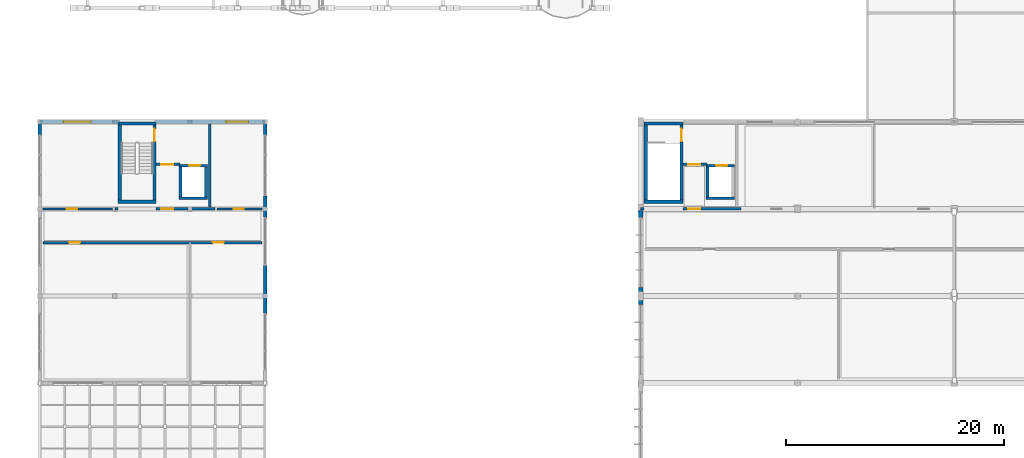
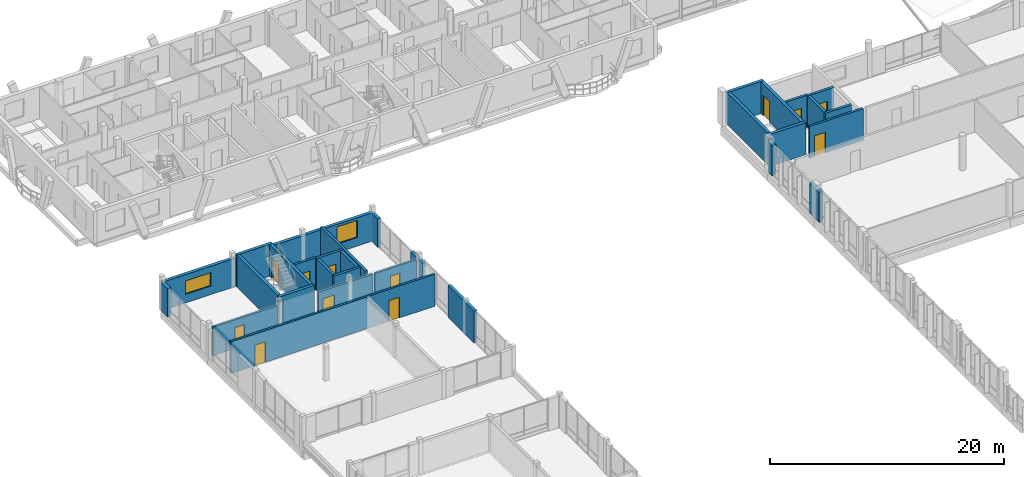
# One storey, part 150 of 189: 33 walls, 12 doors, 2 windows, 14 openings.
"""IFC4 building model written with IfcOpenShell, lengths in metres."""

import ifcopenshell
import ifcopenshell.guid

model = None  # the IFC model being written
_history = None  # IfcOwnerHistory: only IFC2X3 demands one
_inside = {}  # id of a spatial element -> (the spatial element, [elements in it])
_under = {}  # id of a project, library or spatial element -> (it, [spatial elements below it])
_declared = {}  # id of a project -> (the project, [libraries it declares])
_typed = {}  # id of a type object -> (the type object, [elements of that type])
_made_of = {}  # id of a material, layer set ... -> (it, [elements and type objects made of it])


def new_model(schema):
    """Start an empty IFC model of exactly this schema.

    Asked for "IFC4X3", IfcOpenShell would pick the latest addendum, in which some entities
    have other attributes; the version numbers below select the first issue.
    IFC2X3 requires an IfcOwnerHistory on every rooted entity: one is made here for all.
    """
    global model, _history
    if schema == "IFC4X3":
        model = ifcopenshell.file(schema_version=(4, 3, 0, 0))
    else:
        model = ifcopenshell.file(schema=schema)
    _inside.clear()
    _under.clear()
    _declared.clear()
    _typed.clear()
    _made_of.clear()
    _history = None
    if model.schema == "IFC2X3":
        org = make("IfcOrganization", Name="unknown")
        user = make(
            "IfcPersonAndOrganization",
            ThePerson=make("IfcPerson", FamilyName="unknown"),
            TheOrganization=org,
        )
        app = make(
            "IfcApplication",
            ApplicationDeveloper=org,
            Version="unknown",
            ApplicationFullName="unknown",
            ApplicationIdentifier="unknown",
        )
        _history = make(
            "IfcOwnerHistory",
            OwningUser=user,
            OwningApplication=app,
            ChangeAction="ADDED",
            CreationDate=0,
        )
    return model


def make(cls, **values):
    """One entity of the class cls with the attributes given. An attribute that is None is left unset."""
    return model.create_entity(
        cls, **{name: value for name, value in values.items() if value is not None}
    )


def rooted(cls, **values):
    """An entity with a GlobalId (a new one), such as an element, a storey or a relation."""
    return make(cls, GlobalId=ifcopenshell.guid.new(), OwnerHistory=_history, **values)


def si_unit(unit_type, name, prefix=None):
    """IfcSIUnit, for example si_unit("LENGTHUNIT", "METRE", prefix="MILLI")."""
    return make("IfcSIUnit", UnitType=unit_type, Prefix=prefix, Name=name)


def assignment(units):
    """IfcUnitAssignment: the units of a project."""
    return None if units is None else make("IfcUnitAssignment", Units=units)


def point(xyz):
    """IfcCartesianPoint."""
    return None if xyz is None else make("IfcCartesianPoint", Coordinates=xyz)


def direction(xyz):
    """IfcDirection."""
    return None if xyz is None else make("IfcDirection", DirectionRatios=xyz)


def frame(location, z_axis=None, x_axis=None):
    """IfcAxis2Placement3D, a coordinate frame: its origin and axes. An axis left out is left unset."""
    return make(
        "IfcAxis2Placement3D",
        Location=point(location),
        Axis=direction(z_axis),
        RefDirection=direction(x_axis),
    )


def frame_2d(location, x_axis=None):
    """IfcAxis2Placement2D, a coordinate frame in the plane: its origin and x axis."""
    return make(
        "IfcAxis2Placement2D", Location=point(location), RefDirection=direction(x_axis)
    )


def origin():
    """The frame at (0, 0, 0) with its axes left unset."""
    return frame((0.0, 0.0, 0.0))


def origin_with_axes():
    """The frame at (0, 0, 0) with the z axis (0, 0, 1) and the x axis (1, 0, 0) written out."""
    return frame((0.0, 0.0, 0.0), z_axis=(0.0, 0.0, 1.0), x_axis=(1.0, 0.0, 0.0))


def place(relative_to, where):
    """IfcLocalPlacement: puts the frame where relative to a parent placement (None: the world)."""
    return make(
        "IfcLocalPlacement", PlacementRelTo=relative_to, RelativePlacement=where
    )


def context(
    kind, dimensions, precision=None, world=None, true_north=None, identifier=None
):
    """IfcGeometricRepresentationContext, for example the 3D "Model" context."""
    return make(
        "IfcGeometricRepresentationContext",
        ContextIdentifier=identifier,
        ContextType=kind,
        CoordinateSpaceDimension=dimensions,
        Precision=precision,
        WorldCoordinateSystem=world,
        TrueNorth=true_north,
    )


def subcontext(parent, identifier, kind, view, scale=None):
    """IfcGeometricRepresentationSubContext, for example "Body" below "Model"."""
    return make(
        "IfcGeometricRepresentationSubContext",
        ContextIdentifier=identifier,
        ContextType=kind,
        ParentContext=parent,
        TargetScale=scale,
        TargetView=view,
    )


def project(units=None, contexts=None):
    """IfcProject with its units and contexts."""
    return rooted(
        "IfcProject",
        Name="project",
        RepresentationContexts=contexts,
        UnitsInContext=assignment(units),
    )


def spatial(cls, under=None, at=None, **own):
    """A site, building, storey or space (cls), placed at a placement, below another one or the project."""
    s = rooted(cls, ObjectPlacement=at, **own)
    if under is not None:
        _under.setdefault(under.id(), (under, []))[1].append(s)
    return s


def profile(cls, at=None, kind="AREA", **sizes):
    """A parametric profile (cls). Its sizes go by their IFC names, for example OverallWidth=200.0."""
    return make(cls, ProfileType=kind, Position=at, **sizes)


def rectangle(**sizes):
    """IfcRectangleProfileDef."""
    return profile("IfcRectangleProfileDef", **sizes)


def extrude(swept, where, along, depth):
    """IfcExtrudedAreaSolid: the profile swept, set in the frame where, extruded along a direction by depth."""
    return make(
        "IfcExtrudedAreaSolid",
        SweptArea=swept,
        Position=where,
        ExtrudedDirection=direction(along),
        Depth=depth,
    )


def shape(context_of_items, identifier, shape_type, items):
    """IfcShapeRepresentation: the items that make up one representation, for example the "Body"."""
    return make(
        "IfcShapeRepresentation",
        ContextOfItems=context_of_items,
        RepresentationIdentifier=identifier,
        RepresentationType=shape_type,
        Items=items,
    )


def material(Name=None, Category=None):
    """IfcMaterial."""
    return make("IfcMaterial", Name=Name, Category=Category)


def layer(
    of_material, thickness, ventilated=None, Name=None, Category=None, Priority=None
):
    """IfcMaterialLayer: one layer of a wall or slab, of a material (None: an air gap)."""
    return make(
        "IfcMaterialLayer",
        Material=of_material,
        LayerThickness=thickness,
        IsVentilated=ventilated,
        Name=Name,
        Category=Category,
        Priority=Priority,
    )


def layer_set(layers, Name=None):
    """IfcMaterialLayerSet."""
    return make("IfcMaterialLayerSet", MaterialLayers=layers, LayerSetName=Name)


def made_of(thing, what):
    """Note that an element or type object is made of a material, layer set ...; save() writes the relation."""
    if what is not None:
        _made_of.setdefault(what.id(), (what, []))[1].append(thing)
    return thing


def type_object(cls, material=None, **own):
    """A type object (cls), such as IfcWallType, which elements share."""
    return made_of(rooted(cls, **own), material)


def element(
    cls,
    number,
    at=None,
    inside=None,
    cuts=None,
    type_object=None,
    material=None,
    context=None,
    identifier="Body",
    shape_type=None,
    held_by="IfcProductDefinitionShape",
    body=None,
    shapes=None,
    **own,
):
    """One element of the class cls, such as IfcWall. Its Tag is "e" and its number.

    at: its placement. inside: the storey or other place that contains it. cuts: it is an
    opening in that element (IfcRelVoidsElement). A single representation is given by context,
    identifier, shape_type and body (its items); several are given by shapes. held_by: the class
    of the entity that holds the representations. save() writes the other relations.
    """
    e = rooted(cls, Tag="e%d" % number, ObjectPlacement=at, **own)
    if body is not None:
        shapes = [shape(context, identifier, shape_type, body)]
    if shapes is not None:
        e.Representation = make(held_by, Representations=shapes)
    if inside is not None:
        _inside.setdefault(inside.id(), (inside, []))[1].append(e)
    if cuts is not None:
        rooted(
            "IfcRelVoidsElement", RelatingBuildingElement=cuts, RelatedOpeningElement=e
        )
    if type_object is not None:
        _typed.setdefault(type_object.id(), (type_object, []))[1].append(e)
    return made_of(e, material)


def fill(opening, filler):
    """IfcRelFillsElement: the door or window that sits in an opening."""
    return rooted(
        "IfcRelFillsElement",
        RelatingOpeningElement=opening,
        RelatedBuildingElement=filler,
    )


def aggregate(whole, parts):
    """IfcRelAggregates: a whole, such as a stair, and the parts it consists of."""
    return rooted("IfcRelAggregates", RelatingObject=whole, RelatedObjects=parts)


def save(model, path):
    """Write the relations noted so far, then the file.

    IfcRelAggregates (storeys below a building ...), IfcRelContainedInSpatialStructure (elements
    in a storey), IfcRelDefinesByType, IfcRelAssociatesMaterial and IfcRelDeclares: one each for
    every whole, place, type object, material and project.
    """
    for whole, parts in _under.values():
        aggregate(whole, parts)
    for where, things in _inside.values():
        rooted(
            "IfcRelContainedInSpatialStructure",
            RelatedElements=things,
            RelatingStructure=where,
        )
    for kind, things in _typed.values():
        rooted("IfcRelDefinesByType", RelatedObjects=things, RelatingType=kind)
    for what, things in _made_of.values():
        rooted("IfcRelAssociatesMaterial", RelatedObjects=things, RelatingMaterial=what)
    for by, libraries in _declared.values():
        rooted("IfcRelDeclares", RelatingContext=by, RelatedDefinitions=libraries)
    model.write(path)


model = new_model("IFC4")

# Units and contexts
model_context = context("Model", 3, precision=1e-05, world=origin(), true_north=direction((0.0, 1.0)))
body_context = subcontext(model_context, "Body", "Model", "MODEL_VIEW")
ifc_project = project(units=[si_unit("LENGTHUNIT", "METRE"), si_unit("AREAUNIT", "SQUARE_METRE"), si_unit("VOLUMEUNIT", "CUBIC_METRE"), si_unit("PLANEANGLEUNIT", "RADIAN"), si_unit("MASSUNIT", "GRAM", prefix="KILO")], contexts=[model_context])

# Site, building, storey
site_placement = place(None, origin())
site = spatial("IfcSite", under=ifc_project, at=site_placement, CompositionType="ELEMENT")
building_placement = place(site_placement, origin())
building = spatial("IfcBuilding", under=site, at=building_placement, Name="Zavelmont Quarter", CompositionType="ELEMENT")
storey_placement = place(building_placement, frame((0.0, 0.0, 4.39990234375)))
storey = spatial("IfcBuildingStorey", under=building, at=storey_placement, Name="L01", CompositionType="ELEMENT", Elevation=4.39990234375)

# Walls
ifc_material_1 = material(Name="Natural Belgian limestone", Category="masonry")
ifc_layer_1 = layer(ifc_material_1, 0.419921875)
ifc_layer_set_1 = layer_set([ifc_layer_1], Name="Natural Belgian limestone")
wall_type_1 = type_object("IfcWallType", Name="EW04", PredefinedType="STANDARD", material=ifc_layer_set_1)
wall_1_placement = place(storey_placement, frame((55.199951171875, 69.199951171875, 0.0), z_axis=(0.0, 0.0, 1.0), x_axis=(0.0, 1.0, 0.0)))
element("IfcWall", 1, at=wall_1_placement, inside=storey, type_object=wall_type_1, Name="L01 exterior limestone wall EW04", PredefinedType="STANDARD", context=body_context, shape_type="SweptSolid", body=[
    extrude(rectangle(XDim=1.60009765625, YDim=0.419921875, at=frame_2d((0.800048828125, 0.0))), origin(), (0.0, 0.0, 1.0), 3.14501953125),
])
wall_2_placement = place(storey_placement, frame((55.199951171875, 77.199951171875, 0.0), z_axis=(0.0, 0.0, 1.0), x_axis=(0.0, 1.0, 0.0)))
element("IfcWall", 2, at=wall_2_placement, inside=storey, type_object=wall_type_1, Name="L01 exterior limestone wall EW04", PredefinedType="STANDARD", context=body_context, shape_type="SweptSolid", body=[
    extrude(rectangle(XDim=0.650146484375, YDim=0.419921875, at=frame_2d((0.3251953125, 0.0))), origin(), (0.0, 0.0, 1.0), 3.14501953125),
])
ifc_layer_2 = layer(ifc_material_1, 0.31005859375)
ifc_layer_set_2 = layer_set([ifc_layer_2], Name="Natural Belgian limestone")
wall_type_2 = type_object("IfcWallType", Name="EW06", PredefinedType="STANDARD", material=ifc_layer_set_2)
wall_3_placement = place(storey_placement, frame((0.0, 84.800048828125, 0.0), z_axis=(0.0, 0.0, 1.0), x_axis=(0.0, 1.0, 0.0)))
element("IfcWall", 3, at=wall_3_placement, inside=storey, type_object=wall_type_2, Name="L01 exterior limestone wall EW06", PredefinedType="STANDARD", context=body_context, shape_type="SweptSolid", body=[
    extrude(rectangle(XDim=1.199951171875, YDim=0.31005859375, at=frame_2d((0.60009765625, 0.0))), origin(), (0.0, 0.0, 1.0), 2.960205078125),
])
wall_4_placement = place(storey_placement, frame((20.699951171875, 68.39990234375, 0.0), z_axis=(0.0, 0.0, 1.0), x_axis=(0.0, 1.0, 0.0)))
element("IfcWall", 4, at=wall_4_placement, inside=storey, type_object=wall_type_2, Name="L01 exterior limestone wall EW06", PredefinedType="STANDARD", context=body_context, shape_type="SweptSolid", body=[
    extrude(rectangle(XDim=4.400146484375, YDim=0.31005859375, at=frame_2d((2.2001953125, 0.0))), origin(), (0.0, 0.0, 1.0), 3.330078125),
])
wall_5_placement = place(storey_placement, frame((20.699951171875, 77.199951171875, 0.0), z_axis=(0.0, 0.0, 1.0), x_axis=(0.0, 1.0, 0.0)))
element("IfcWall", 5, at=wall_5_placement, inside=storey, type_object=wall_type_2, Name="L01 exterior limestone wall EW06", PredefinedType="STANDARD", context=body_context, shape_type="SweptSolid", body=[
    extrude(rectangle(XDim=2.0, YDim=0.31005859375, at=frame_2d((1.0, 0.0))), origin(), (0.0, 0.0, 1.0), 2.960205078125),
])
wall_6_placement = place(storey_placement, frame((20.699951171875, 84.800048828125, 0.0), z_axis=(0.0, 0.0, 1.0), x_axis=(0.0, 1.0, 0.0)))
element("IfcWall", 6, at=wall_6_placement, inside=storey, type_object=wall_type_2, Name="L01 exterior limestone wall EW06", PredefinedType="STANDARD", context=body_context, shape_type="SweptSolid", body=[
    extrude(rectangle(XDim=1.199951171875, YDim=0.31005859375, at=frame_2d((0.60009765625, 0.0))), origin(), (0.0, 0.0, 1.0), 2.960205078125),
])

# Wall, opening, window
wall_7_placement = place(storey_placement, frame((0.0, 86.0, 0.0), z_axis=(0.0, 0.0, 1.0), x_axis=(1.0, 0.0, 0.0)))
wall_7 = element("IfcWall", 7, at=wall_7_placement, inside=storey, type_object=wall_type_2, Name="L01 exterior limestone wall EW06", PredefinedType="STANDARD", context=body_context, shape_type="SweptSolid", body=[
    extrude(rectangle(XDim=7.35009765625, YDim=0.31005859375, at=frame_2d((3.675048828125, 0.0))), origin(), (0.0, 0.0, 1.0), 2.960205078125),
])
opening_1_placement = place(wall_7_placement, frame((2.199951171875, 0.0, 0.89990234375)))
opening_1 = element("IfcOpeningElement", 8, at=opening_1_placement, cuts=wall_7, Name="Opening WN18", PredefinedType="OPENING", context=body_context, shape_type="SweptSolid", body=[
    extrude(rectangle(XDim=2.5, YDim=1.39990234375, at=frame_2d((1.25, 0.699951171875))), frame((0.0, 0.1669921875, 0.0), z_axis=(0.0, -1.0, 0.0), x_axis=(1.0, 0.0, 0.0)), (0.0, 0.0, 1.0), 0.333984375),
])
ifc_material_2 = material(Name="Double low-E insulated glazing in thermally broken aluminium frame", Category="aluminium")
window_type_1 = type_object("IfcWindowType", Name="WN18", PartitioningType="SINGLE_PANEL", PredefinedType="WINDOW", material=ifc_material_2)
window_1_placement = place(opening_1_placement, origin_with_axes())
window_1 = element("IfcWindow", 9, at=window_1_placement, inside=storey, type_object=window_type_1, Name="L01 window WN18", OverallHeight=1.39990234375, OverallWidth=2.5, PartitioningType="SINGLE_PANEL", PredefinedType="WINDOW", context=body_context, shape_type="SweptSolid", body=[
    extrude(rectangle(XDim=2.5, YDim=1.39990234375, at=frame_2d((1.25, 0.699951171875))), frame((0.0, 0.030029296875, 0.0), z_axis=(0.0, -1.0, 0.0), x_axis=(1.0, 0.0, 0.0)), (0.0, 0.0, 1.0), 0.06005859375),
])
fill(opening_1, window_1)

wall_8_placement = place(storey_placement, frame((10.550048828125, 86.0, 0.0), z_axis=(0.0, 0.0, 1.0), x_axis=(1.0, 0.0, 0.0)))
wall_8 = element("IfcWall", 10, at=wall_8_placement, inside=storey, type_object=wall_type_2, Name="L01 exterior limestone wall EW06", PredefinedType="STANDARD", context=body_context, shape_type="SweptSolid", body=[
    extrude(rectangle(XDim=10.14990234375, YDim=0.31005859375, at=frame_2d((5.074951171875, 0.0))), origin(), (0.0, 0.0, 1.0), 2.960205078125),
])
opening_2_placement = place(wall_8_placement, frame((6.60009765625, 0.0, 0.89990234375)))
opening_2 = element("IfcOpeningElement", 11, at=opening_2_placement, cuts=wall_8, Name="Opening WN10", PredefinedType="OPENING", context=body_context, shape_type="SweptSolid", body=[
    extrude(rectangle(XDim=2.0, YDim=1.800048828125, at=frame_2d((1.0, 0.89990234375))), frame((0.0, 0.1669921875, 0.0), z_axis=(0.0, -1.0, 0.0), x_axis=(1.0, 0.0, 0.0)), (0.0, 0.0, 1.0), 0.333984375),
])
window_type_2 = type_object("IfcWindowType", Name="WN10", PartitioningType="SINGLE_PANEL", PredefinedType="WINDOW", material=ifc_material_2)
window_2_placement = place(opening_2_placement, origin_with_axes())
window_2 = element("IfcWindow", 12, at=window_2_placement, inside=storey, type_object=window_type_2, Name="L01 window WN10", OverallHeight=1.800048828125, OverallWidth=2.0, PartitioningType="SINGLE_PANEL", PredefinedType="WINDOW", context=body_context, shape_type="SweptSolid", body=[
    extrude(rectangle(XDim=2.0, YDim=1.800048828125, at=frame_2d((1.0, 0.89990234375))), frame((0.0, 0.030029296875, 0.0), z_axis=(0.0, -1.0, 0.0), x_axis=(1.0, 0.0, 0.0)), (0.0, 0.0, 1.0), 0.06005859375),
])
fill(opening_2, window_2)

# Wall, openings, doors
ifc_material_3 = material(Name="Calcium-silicate blockwork and acoustic plaster", Category="masonry")
ifc_layer_3 = layer(ifc_material_3, 0.199951171875)
ifc_layer_set_3 = layer_set([ifc_layer_3], Name="Calcium-silicate blockwork and acoustic plaster")
wall_type_3 = type_object("IfcWallType", Name="IW01", PredefinedType="PARTITIONING", material=ifc_layer_set_3)
wall_9_placement = place(storey_placement, frame((0.300048828125, 74.89990234375, 0.0), z_axis=(0.0, 0.0, 1.0), x_axis=(1.0, 0.0, 0.0)))
wall_9 = element("IfcWall", 13, at=wall_9_placement, inside=storey, type_object=wall_type_3, Name="L01 Interior partition IW01", PredefinedType="PARTITIONING", context=body_context, shape_type="SweptSolid", body=[
    extrude(rectangle(XDim=20.099853515625, YDim=0.199951171875, at=frame_2d((10.0498046875, 0.0))), origin(), (0.0, 0.0, 1.0), 3.330078125),
])
opening_3_placement = place(wall_9_placement, frame((2.39990234375, 0.0, 0.0)))
opening_3 = element("IfcOpeningElement", 14, at=opening_3_placement, cuts=wall_9, Name="Opening DR07", PredefinedType="OPENING", context=body_context, shape_type="SweptSolid", body=[
    extrude(rectangle(XDim=1.0, YDim=2.14990234375, at=frame_2d((0.5, 1.074951171875))), frame((0.0, 0.11181640625, 0.0), z_axis=(0.0, -1.0, 0.0), x_axis=(1.0, 0.0, 0.0)), (0.0, 0.0, 1.0), 0.223876953125),
])
opening_4_placement = place(wall_9_placement, frame((15.60009765625, 0.0, 0.0)))
opening_4 = element("IfcOpeningElement", 15, at=opening_4_placement, cuts=wall_9, Name="Opening DR07", PredefinedType="OPENING", context=body_context, shape_type="SweptSolid", body=[
    extrude(rectangle(XDim=1.0, YDim=2.14990234375, at=frame_2d((0.5, 1.074951171875))), frame((0.0, 0.11181640625, 0.0), z_axis=(0.0, -1.0, 0.0), x_axis=(1.0, 0.0, 0.0)), (0.0, 0.0, 1.0), 0.223876953125),
])
ifc_material_4 = material(Name="Solid-core oak fire leaf in steel frame", Category="steel")
door_type_1 = type_object("IfcDoorType", Name="DR07", OperationType="NOTDEFINED", PredefinedType="DOOR", material=ifc_material_4)
door_1_placement = place(opening_3_placement, frame((1.0, 0.0, 0.0), z_axis=(0.0, 0.0, 1.0), x_axis=(-1.0, 0.0, 0.0)))
door_1 = element("IfcDoor", 16, at=door_1_placement, inside=storey, type_object=door_type_1, Name="L01 door DR07", OperationType="SINGLE_SWING_LEFT", OverallHeight=2.14990234375, OverallWidth=1.0, PredefinedType="DOOR", context=body_context, shape_type="SweptSolid", body=[
    extrude(rectangle(XDim=1.0, YDim=2.14990234375, at=frame_2d((0.5, 1.074951171875))), frame((0.0, 0.02490234375, 0.0), z_axis=(0.0, -1.0, 0.0), x_axis=(1.0, 0.0, 0.0)), (0.0, 0.0, 1.0), 0.050048828125),
])
fill(opening_3, door_1)
door_2_placement = place(opening_4_placement, origin_with_axes())
door_2 = element("IfcDoor", 17, at=door_2_placement, inside=storey, type_object=door_type_1, Name="L01 door DR07", OperationType="SINGLE_SWING_RIGHT", OverallHeight=2.14990234375, OverallWidth=1.0, PredefinedType="DOOR", context=body_context, shape_type="SweptSolid", body=[
    extrude(rectangle(XDim=1.0, YDim=2.14990234375, at=frame_2d((0.5, 1.074951171875))), frame((0.0, 0.02490234375, 0.0), z_axis=(0.0, -1.0, 0.0), x_axis=(1.0, 0.0, 0.0)), (0.0, 0.0, 1.0), 0.050048828125),
])
fill(opening_4, door_2)

# Wall, opening, door
wall_10_placement = place(storey_placement, frame((0.300048828125, 78.0, 0.0), z_axis=(0.0, 0.0, 1.0), x_axis=(1.0, 0.0, 0.0)))
wall_10 = element("IfcWall", 18, at=wall_10_placement, inside=storey, type_object=wall_type_3, Name="L01 Interior partition IW01", PredefinedType="PARTITIONING", context=body_context, shape_type="SweptSolid", body=[
    extrude(rectangle(XDim=6.39990234375, YDim=0.199951171875, at=frame_2d((3.199951171875, 0.0))), origin(), (0.0, 0.0, 1.0), 2.960205078125),
])
opening_5_placement = place(wall_10_placement, frame((2.199951171875, 0.0, 0.0)))
opening_5 = element("IfcOpeningElement", 19, at=opening_5_placement, cuts=wall_10, Name="Opening DR02", PredefinedType="OPENING", context=body_context, shape_type="SweptSolid", body=[
    extrude(rectangle(XDim=0.949951171875, YDim=2.14990234375, at=frame_2d((0.47509765625, 1.074951171875))), frame((0.0, 0.11181640625, 0.0), z_axis=(0.0, -1.0, 0.0), x_axis=(1.0, 0.0, 0.0)), (0.0, 0.0, 1.0), 0.223876953125),
])
door_type_2 = type_object("IfcDoorType", Name="DR02", OperationType="NOTDEFINED", PredefinedType="DOOR", material=ifc_material_4)
door_3_placement = place(opening_5_placement, frame((0.949951171875, 0.0, 0.0), z_axis=(0.0, 0.0, 1.0), x_axis=(-1.0, 0.0, 0.0)))
door_3 = element("IfcDoor", 20, at=door_3_placement, inside=storey, type_object=door_type_2, Name="L01 door DR02", OperationType="SINGLE_SWING_LEFT", OverallHeight=2.14990234375, OverallWidth=0.949951171875, PredefinedType="DOOR", context=body_context, shape_type="SweptSolid", body=[
    extrude(rectangle(XDim=0.949951171875, YDim=2.14990234375, at=frame_2d((0.47509765625, 1.074951171875))), frame((0.0, 0.02490234375, 0.0), z_axis=(0.0, -1.0, 0.0), x_axis=(1.0, 0.0, 0.0)), (0.0, 0.0, 1.0), 0.050048828125),
])
fill(opening_5, door_3)

wall_11_placement = place(storey_placement, frame((16.300048828125, 78.0, 0.0), z_axis=(0.0, 0.0, 1.0), x_axis=(1.0, 0.0, 0.0)))
wall_11 = element("IfcWall", 21, at=wall_11_placement, inside=storey, type_object=wall_type_3, Name="L01 Interior partition IW01", PredefinedType="PARTITIONING", context=body_context, shape_type="SweptSolid", body=[
    extrude(rectangle(XDim=4.099853515625, YDim=0.199951171875, at=frame_2d((2.0498046875, 0.0))), origin(), (0.0, 0.0, 1.0), 2.960205078125),
])
opening_6_placement = place(wall_11_placement, frame((1.5, 0.0, 0.0)))
opening_6 = element("IfcOpeningElement", 22, at=opening_6_placement, cuts=wall_11, Name="Opening DR02", PredefinedType="OPENING", context=body_context, shape_type="SweptSolid", body=[
    extrude(rectangle(XDim=0.949951171875, YDim=2.14990234375, at=frame_2d((0.47509765625, 1.074951171875))), frame((0.0, 0.11181640625, 0.0), z_axis=(0.0, -1.0, 0.0), x_axis=(1.0, 0.0, 0.0)), (0.0, 0.0, 1.0), 0.223876953125),
])
door_4_placement = place(opening_6_placement, origin_with_axes())
door_4 = element("IfcDoor", 23, at=door_4_placement, inside=storey, type_object=door_type_2, Name="L01 door DR02", OperationType="SINGLE_SWING_RIGHT", OverallHeight=2.14990234375, OverallWidth=0.949951171875, PredefinedType="DOOR", context=body_context, shape_type="SweptSolid", body=[
    extrude(rectangle(XDim=0.949951171875, YDim=2.14990234375, at=frame_2d((0.47509765625, 1.074951171875))), frame((0.0, 0.02490234375, 0.0), z_axis=(0.0, -1.0, 0.0), x_axis=(1.0, 0.0, 0.0)), (0.0, 0.0, 1.0), 0.050048828125),
])
fill(opening_6, door_4)

ifc_material_5 = material(Name="Reinforced masonry fire compartment wall", Category="masonry")
ifc_layer_4 = layer(ifc_material_5, 0.22509765625)
ifc_layer_set_4 = layer_set([ifc_layer_4], Name="Reinforced masonry fire compartment wall")
wall_type_4 = type_object("IfcWallType", Name="IW02", PredefinedType="PARTITIONING", material=ifc_layer_set_4)
wall_12_placement = place(storey_placement, frame((59.10009765625, 82.10009765625, 0.0), z_axis=(0.0, 0.0, 1.0), x_axis=(1.0, 0.0, 0.0)))
wall_12 = element("IfcWall", 24, at=wall_12_placement, inside=storey, type_object=wall_type_4, Name="L01 Firefighting lobby threshold wall IW02", PredefinedType="PARTITIONING", context=body_context, shape_type="SweptSolid", body=[
    extrude(rectangle(XDim=2.199951171875, YDim=0.22509765625, at=frame_2d((1.10009765625, 0.0))), origin(), (0.0, 0.0, 1.0), 3.330078125),
])
opening_7_placement = place(wall_12_placement, frame((0.449951171875, 0.0, 0.0)))
opening_7 = element("IfcOpeningElement", 25, at=opening_7_placement, cuts=wall_12, Name="Opening DR10", PredefinedType="OPENING", context=body_context, shape_type="SweptSolid", body=[
    extrude(rectangle(XDim=1.10009765625, YDim=2.14990234375, at=frame_2d((0.550048828125, 1.074951171875))), frame((0.0, 0.12451171875, 0.0), z_axis=(0.0, -1.0, 0.0), x_axis=(1.0, 0.0, 0.0)), (0.0, 0.0, 1.0), 0.2490234375),
])
ifc_material_6 = material(Name="Painted steel lobby fire door", Category="steel")
door_type_3 = type_object("IfcDoorType", Name="DR10", OperationType="NOTDEFINED", PredefinedType="DOOR", material=ifc_material_6)
door_5_placement = place(opening_7_placement, origin_with_axes())
door_5 = element("IfcDoor", 26, at=door_5_placement, inside=storey, type_object=door_type_3, Name="Firefighting lobby fire door", OperationType="SINGLE_SWING_LEFT", OverallHeight=2.14990234375, OverallWidth=1.10009765625, PredefinedType="DOOR", context=body_context, shape_type="SweptSolid", body=[
    extrude(rectangle(XDim=1.10009765625, YDim=2.14990234375, at=frame_2d((0.550048828125, 1.074951171875))), frame((0.0, 0.02490234375, 0.0), z_axis=(0.0, -1.0, 0.0), x_axis=(1.0, 0.0, 0.0)), (0.0, 0.0, 1.0), 0.050048828125),
])
fill(opening_7, door_5)

# Wall
wall_13_placement = place(storey_placement, frame((55.199951171875, 78.0, 0.0), z_axis=(0.0, 0.0, 1.0), x_axis=(1.0, 0.0, 0.0)))
element("IfcWall", 27, at=wall_13_placement, inside=storey, type_object=wall_type_4, Name="L01 Core corridor wall IW02", PredefinedType="PARTITIONING", context=body_context, shape_type="SweptSolid", body=[
    extrude(rectangle(XDim=0.300048828125, YDim=0.22509765625, at=frame_2d((0.14990234375, 0.0))), origin(), (0.0, 0.0, 1.0), 3.330078125),
])

# Wall, opening, door
wall_14_placement = place(storey_placement, frame((59.10009765625, 78.0, 0.0), z_axis=(0.0, 0.0, 1.0), x_axis=(1.0, 0.0, 0.0)))
wall_14 = element("IfcWall", 28, at=wall_14_placement, inside=storey, type_object=wall_type_4, Name="L01 Core corridor fire wall IW02", PredefinedType="PARTITIONING", context=body_context, shape_type="SweptSolid", body=[
    extrude(rectangle(XDim=5.2998046875, YDim=0.22509765625, at=frame_2d((2.64990234375, 0.0))), origin(), (0.0, 0.0, 1.0), 3.295166015625),
])
opening_8_placement = place(wall_14_placement, frame((0.47509765625, 0.0, 0.0)))
opening_8 = element("IfcOpeningElement", 29, at=opening_8_placement, cuts=wall_14, Name="Opening DR10", PredefinedType="OPENING", context=body_context, shape_type="SweptSolid", body=[
    extrude(rectangle(XDim=1.10009765625, YDim=2.14990234375, at=frame_2d((0.550048828125, 1.074951171875))), frame((0.0, 0.12451171875, 0.0), z_axis=(0.0, -1.0, 0.0), x_axis=(1.0, 0.0, 0.0)), (0.0, 0.0, 1.0), 0.2490234375),
])
door_6_placement = place(opening_8_placement, origin_with_axes())
door_6 = element("IfcDoor", 30, at=door_6_placement, inside=storey, type_object=door_type_3, Name="Core vestibule fire door", OperationType="SINGLE_SWING_RIGHT", OverallHeight=2.14990234375, OverallWidth=1.10009765625, PredefinedType="DOOR", context=body_context, shape_type="SweptSolid", body=[
    extrude(rectangle(XDim=1.10009765625, YDim=2.14990234375, at=frame_2d((0.550048828125, 1.074951171875))), frame((0.0, 0.02490234375, 0.0), z_axis=(0.0, -1.0, 0.0), x_axis=(1.0, 0.0, 0.0)), (0.0, 0.0, 1.0), 0.050048828125),
])
fill(opening_8, door_6)

# Wall
wall_15_placement = place(storey_placement, frame((15.610107421875, 78.199951171875, 0.0), z_axis=(0.0, 0.0, 1.0), x_axis=(0.0, 1.0, 0.0)))
element("IfcWall", 31, at=wall_15_placement, inside=storey, type_object=wall_type_4, Name="L01 Firefighting lobby enclosure wall IW02", PredefinedType="PARTITIONING", context=body_context, shape_type="SweptSolid", body=[
    extrude(rectangle(XDim=7.60009765625, YDim=0.22509765625, at=frame_2d((3.800048828125, 0.0))), origin(), (0.0, 0.0, 1.0), 3.330078125),
])

# Wall, opening, door
wall_16_placement = place(storey_placement, frame((10.699951171875, 82.10009765625, 0.0), z_axis=(0.0, 0.0, 1.0), x_axis=(1.0, 0.0, 0.0)))
wall_16 = element("IfcWall", 32, at=wall_16_placement, inside=storey, type_object=wall_type_4, Name="L01 Firefighting lobby threshold wall IW02", PredefinedType="PARTITIONING", context=body_context, shape_type="SweptSolid", body=[
    extrude(rectangle(XDim=2.199951171875, YDim=0.22509765625, at=frame_2d((1.10009765625, 0.0))), origin(), (0.0, 0.0, 1.0), 3.330078125),
])
opening_9_placement = place(wall_16_placement, frame((0.449951171875, 0.0, 0.0)))
opening_9 = element("IfcOpeningElement", 33, at=opening_9_placement, cuts=wall_16, Name="Opening DR10", PredefinedType="OPENING", context=body_context, shape_type="SweptSolid", body=[
    extrude(rectangle(XDim=1.10009765625, YDim=2.14990234375, at=frame_2d((0.550048828125, 1.074951171875))), frame((0.0, 0.12451171875, 0.0), z_axis=(0.0, -1.0, 0.0), x_axis=(1.0, 0.0, 0.0)), (0.0, 0.0, 1.0), 0.2490234375),
])
door_7_placement = place(opening_9_placement, origin_with_axes())
door_7 = element("IfcDoor", 34, at=door_7_placement, inside=storey, type_object=door_type_3, Name="Firefighting lobby fire door", OperationType="SINGLE_SWING_RIGHT", OverallHeight=2.14990234375, OverallWidth=1.10009765625, PredefinedType="DOOR", context=body_context, shape_type="SweptSolid", body=[
    extrude(rectangle(XDim=1.10009765625, YDim=2.14990234375, at=frame_2d((0.550048828125, 1.074951171875))), frame((0.0, 0.02490234375, 0.0), z_axis=(0.0, -1.0, 0.0), x_axis=(1.0, 0.0, 0.0)), (0.0, 0.0, 1.0), 0.050048828125),
])
fill(opening_9, door_7)

# Wall
wall_17_placement = place(storey_placement, frame((6.89990234375, 78.0, 0.0), z_axis=(0.0, 0.0, 1.0), x_axis=(1.0, 0.0, 0.0)))
element("IfcWall", 35, at=wall_17_placement, inside=storey, type_object=wall_type_4, Name="L01 Core corridor wall IW02", PredefinedType="PARTITIONING", context=body_context, shape_type="SweptSolid", body=[
    extrude(rectangle(XDim=0.300048828125, YDim=0.22509765625, at=frame_2d((0.14990234375, 0.0))), origin(), (0.0, 0.0, 1.0), 3.330078125),
])

# Wall, opening, door
wall_18_placement = place(storey_placement, frame((10.699951171875, 78.0, 0.0), z_axis=(0.0, 0.0, 1.0), x_axis=(1.0, 0.0, 0.0)))
wall_18 = element("IfcWall", 36, at=wall_18_placement, inside=storey, type_object=wall_type_4, Name="L01 Core corridor fire wall IW02", PredefinedType="PARTITIONING", context=body_context, shape_type="SweptSolid", body=[
    extrude(rectangle(XDim=5.400146484375, YDim=0.22509765625, at=frame_2d((2.7001953125, 0.0))), origin(), (0.0, 0.0, 1.0), 2.960205078125),
])
opening_10_placement = place(wall_18_placement, frame((0.47509765625, 0.0, 0.0)))
opening_10 = element("IfcOpeningElement", 37, at=opening_10_placement, cuts=wall_18, Name="Opening DR10", PredefinedType="OPENING", context=body_context, shape_type="SweptSolid", body=[
    extrude(rectangle(XDim=1.10009765625, YDim=2.14990234375, at=frame_2d((0.550048828125, 1.074951171875))), frame((0.0, 0.12451171875, 0.0), z_axis=(0.0, -1.0, 0.0), x_axis=(1.0, 0.0, 0.0)), (0.0, 0.0, 1.0), 0.2490234375),
])
door_8_placement = place(opening_10_placement, origin_with_axes())
door_8 = element("IfcDoor", 38, at=door_8_placement, inside=storey, type_object=door_type_3, Name="Core vestibule fire door", OperationType="SINGLE_SWING_LEFT", OverallHeight=2.14990234375, OverallWidth=1.10009765625, PredefinedType="DOOR", context=body_context, shape_type="SweptSolid", body=[
    extrude(rectangle(XDim=1.10009765625, YDim=2.14990234375, at=frame_2d((0.550048828125, 1.074951171875))), frame((0.0, 0.02490234375, 0.0), z_axis=(0.0, -1.0, 0.0), x_axis=(1.0, 0.0, 0.0)), (0.0, 0.0, 1.0), 0.050048828125),
])
fill(opening_10, door_8)

# Walls
ifc_material_7 = material(Name="Concrete C40/50", Category="concrete")
ifc_layer_5 = layer(ifc_material_7, 0.300048828125)
ifc_layer_set_5 = layer_set([ifc_layer_5], Name="Concrete C40/50")
wall_type_5 = type_object("IfcWallType", Name="SW01", PredefinedType="SHEAR", material=ifc_layer_set_5)
wall_19_placement = place(storey_placement, frame((55.5, 78.64990234375, 0.0), z_axis=(0.0, 0.0, 1.0), x_axis=(1.0, 0.0, 0.0)))
element("IfcWall", 39, at=wall_19_placement, inside=storey, type_object=wall_type_5, Name="L01 ST09 corridor shear wall SW01", PredefinedType="SHEAR", context=body_context, shape_type="SweptSolid", body=[
    extrude(rectangle(XDim=3.60009765625, YDim=0.300048828125, at=frame_2d((1.800048828125, 0.0))), origin(), (0.0, 0.0, 1.0), 3.330078125),
])
wall_20_placement = place(storey_placement, frame((55.64990234375, 78.5, 0.0), z_axis=(0.0, 0.0, 1.0), x_axis=(0.0, 1.0, 0.0)))
element("IfcWall", 40, at=wall_20_placement, inside=storey, type_object=wall_type_5, Name="L01 ST09 west shear wall SW01", PredefinedType="SHEAR", context=body_context, shape_type="SweptSolid", body=[
    extrude(rectangle(XDim=7.5, YDim=0.300048828125, at=frame_2d((3.75, 0.0))), origin(), (0.0, 0.0, 1.0), 3.330078125),
])

# Wall, opening, door
wall_21_placement = place(storey_placement, frame((58.949951171875, 78.5, 0.0), z_axis=(0.0, 0.0, 1.0), x_axis=(0.0, 1.0, 0.0)))
wall_21 = element("IfcWall", 41, at=wall_21_placement, inside=storey, type_object=wall_type_5, Name="L01 ST09 lobby shear wall SW01", PredefinedType="SHEAR", context=body_context, shape_type="SweptSolid", body=[
    extrude(rectangle(XDim=7.5, YDim=0.300048828125, at=frame_2d((3.75, 0.0))), origin(), (0.0, 0.0, 1.0), 3.330078125),
])
opening_11_placement = place(wall_21_placement, frame((5.699951171875, 0.0, 0.0)))
opening_11 = element("IfcOpeningElement", 42, at=opening_11_placement, cuts=wall_21, Name="Opening DR09", PredefinedType="OPENING", context=body_context, shape_type="SweptSolid", body=[
    extrude(rectangle(XDim=1.14990234375, YDim=2.14990234375, at=frame_2d((0.574951171875, 1.074951171875))), frame((0.0, 0.162109375, 0.0), z_axis=(0.0, -1.0, 0.0), x_axis=(1.0, 0.0, 0.0)), (0.0, 0.0, 1.0), 0.323974609375),
])
ifc_material_8 = material(Name="Painted steel stair-core fire door", Category="steel")
door_type_4 = type_object("IfcDoorType", Name="DR09", OperationType="NOTDEFINED", PredefinedType="DOOR", material=ifc_material_8)
door_9_placement = place(opening_11_placement, origin_with_axes())
door_9 = element("IfcDoor", 43, at=door_9_placement, inside=storey, type_object=door_type_4, Name="ST09 protected stair door", OperationType="SINGLE_SWING_LEFT", OverallHeight=2.14990234375, OverallWidth=1.14990234375, PredefinedType="DOOR", context=body_context, shape_type="SweptSolid", body=[
    extrude(rectangle(XDim=1.14990234375, YDim=2.14990234375, at=frame_2d((0.574951171875, 1.074951171875))), frame((0.0, 0.02490234375, 0.0), z_axis=(0.0, -1.0, 0.0), x_axis=(1.0, 0.0, 0.0)), (0.0, 0.0, 1.0), 0.050048828125),
])
fill(opening_11, door_9)

# Walls
wall_22_placement = place(storey_placement, frame((7.199951171875, 78.64990234375, 0.0), z_axis=(0.0, 0.0, 1.0), x_axis=(1.0, 0.0, 0.0)))
element("IfcWall", 44, at=wall_22_placement, inside=storey, type_object=wall_type_5, Name="L01 ST14 corridor shear wall SW01", PredefinedType="SHEAR", context=body_context, shape_type="SweptSolid", body=[
    extrude(rectangle(XDim=3.5, YDim=0.300048828125, at=frame_2d((1.75, 0.0))), origin(), (0.0, 0.0, 1.0), 3.330078125),
])
wall_23_placement = place(storey_placement, frame((7.35009765625, 78.5, 0.0), z_axis=(0.0, 0.0, 1.0), x_axis=(0.0, 1.0, 0.0)))
element("IfcWall", 45, at=wall_23_placement, inside=storey, type_object=wall_type_5, Name="L01 ST14 west shear wall SW01", PredefinedType="SHEAR", context=body_context, shape_type="SweptSolid", body=[
    extrude(rectangle(XDim=7.5, YDim=0.300048828125, at=frame_2d((3.75, 0.0))), origin(), (0.0, 0.0, 1.0), 3.330078125),
])

# Wall, opening, door
wall_24_placement = place(storey_placement, frame((10.550048828125, 78.5, 0.0), z_axis=(0.0, 0.0, 1.0), x_axis=(0.0, 1.0, 0.0)))
wall_24 = element("IfcWall", 46, at=wall_24_placement, inside=storey, type_object=wall_type_5, Name="L01 ST14 lobby shear wall SW01", PredefinedType="SHEAR", context=body_context, shape_type="SweptSolid", body=[
    extrude(rectangle(XDim=7.5, YDim=0.300048828125, at=frame_2d((3.75, 0.0))), origin(), (0.0, 0.0, 1.0), 3.330078125),
])
opening_12_placement = place(wall_24_placement, frame((5.699951171875, 0.0, 0.0)))
opening_12 = element("IfcOpeningElement", 47, at=opening_12_placement, cuts=wall_24, Name="Opening DR09", PredefinedType="OPENING", context=body_context, shape_type="SweptSolid", body=[
    extrude(rectangle(XDim=1.14990234375, YDim=2.14990234375, at=frame_2d((0.574951171875, 1.074951171875))), frame((0.0, 0.162109375, 0.0), z_axis=(0.0, -1.0, 0.0), x_axis=(1.0, 0.0, 0.0)), (0.0, 0.0, 1.0), 0.323974609375),
])
door_10_placement = place(opening_12_placement, origin_with_axes())
door_10 = element("IfcDoor", 48, at=door_10_placement, inside=storey, type_object=door_type_4, Name="ST14 protected stair door", OperationType="SINGLE_SWING_LEFT", OverallHeight=2.14990234375, OverallWidth=1.14990234375, PredefinedType="DOOR", context=body_context, shape_type="SweptSolid", body=[
    extrude(rectangle(XDim=1.14990234375, YDim=2.14990234375, at=frame_2d((0.574951171875, 1.074951171875))), frame((0.0, 0.02490234375, 0.0), z_axis=(0.0, -1.0, 0.0), x_axis=(1.0, 0.0, 0.0)), (0.0, 0.0, 1.0), 0.050048828125),
])
fill(opening_12, door_10)

ifc_layer_6 = layer(ifc_material_7, 0.25)
ifc_layer_set_6 = layer_set([ifc_layer_6], Name="Concrete C40/50")
wall_type_6 = type_object("IfcWallType", Name="SW02", PredefinedType="SHEAR", material=ifc_layer_set_6)
wall_25_placement = place(storey_placement, frame((61.199951171875, 81.97509765625, 0.0), z_axis=(0.0, 0.0, 1.0), x_axis=(1.0, 0.0, 0.0)))
wall_25 = element("IfcWall", 49, at=wall_25_placement, inside=storey, type_object=wall_type_6, Name="L01 Lift LF09 landing shaft wall SW02", PredefinedType="SHEAR", context=body_context, shape_type="SweptSolid", body=[
    extrude(rectangle(XDim=2.60009765625, YDim=0.25, at=frame_2d((1.300048828125, 0.0))), origin(), (0.0, 0.0, 1.0), 3.330078125),
])
opening_13_placement = place(wall_25_placement, frame((0.925048828125, 0.0, 0.0)))
opening_13 = element("IfcOpeningElement", 50, at=opening_13_placement, cuts=wall_25, Name="Opening LD01", PredefinedType="OPENING", context=body_context, shape_type="SweptSolid", body=[
    extrude(rectangle(XDim=1.0, YDim=2.10009765625, at=frame_2d((0.5, 1.050048828125))), frame((0.0, 0.136962890625, 0.0), z_axis=(0.0, -1.0, 0.0), x_axis=(1.0, 0.0, 0.0)), (0.0, 0.0, 1.0), 0.27392578125),
])
ifc_material_9 = material(Name="Brushed stainless-steel automatic sliding landing door", Category="steel")
door_type_5 = type_object("IfcDoorType", Name="LD01", OperationType="SLIDING_TO_LEFT", PredefinedType="DOOR", material=ifc_material_9)
door_11_placement = place(opening_13_placement, origin_with_axes())
door_11 = element("IfcDoor", 51, at=door_11_placement, inside=storey, type_object=door_type_5, Name="Lift LF09 sliding landing door", OperationType="SLIDING_TO_LEFT", OverallHeight=2.10009765625, OverallWidth=1.0, PredefinedType="DOOR", context=body_context, shape_type="SweptSolid", body=[
    extrude(rectangle(XDim=1.0, YDim=2.10009765625, at=frame_2d((0.5, 1.050048828125))), frame((0.0, 0.02490234375, 0.0), z_axis=(0.0, -1.0, 0.0), x_axis=(1.0, 0.0, 0.0)), (0.0, 0.0, 1.0), 0.050048828125),
])
fill(opening_13, door_11)

# Walls
wall_26_placement = place(storey_placement, frame((61.199951171875, 78.97509765625, 0.0), z_axis=(0.0, 0.0, 1.0), x_axis=(1.0, 0.0, 0.0)))
element("IfcWall", 52, at=wall_26_placement, inside=storey, type_object=wall_type_6, Name="L01 Lift LF09 back shaft wall SW02", PredefinedType="SHEAR", context=body_context, shape_type="SweptSolid", body=[
    extrude(rectangle(XDim=2.60009765625, YDim=0.25, at=frame_2d((1.300048828125, 0.0))), origin(), (0.0, 0.0, 1.0), 3.330078125),
])
wall_27_placement = place(storey_placement, frame((61.324951171875, 78.85009765625, 0.0), z_axis=(0.0, 0.0, 1.0), x_axis=(0.0, 1.0, 0.0)))
element("IfcWall", 53, at=wall_27_placement, inside=storey, type_object=wall_type_6, Name="L01 Lift LF09 west shaft wall SW02", PredefinedType="SHEAR", context=body_context, shape_type="SweptSolid", body=[
    extrude(rectangle(XDim=3.25, YDim=0.25, at=frame_2d((1.625, 0.0))), origin(), (0.0, 0.0, 1.0), 3.330078125),
])

# Wall, opening, door
wall_28_placement = place(storey_placement, frame((12.800048828125, 81.97509765625, 0.0), z_axis=(0.0, 0.0, 1.0), x_axis=(1.0, 0.0, 0.0)))
wall_28 = element("IfcWall", 54, at=wall_28_placement, inside=storey, type_object=wall_type_6, Name="L01 Lift LF12 landing shaft wall SW02", PredefinedType="SHEAR", context=body_context, shape_type="SweptSolid", body=[
    extrude(rectangle(XDim=2.599853515625, YDim=0.25, at=frame_2d((1.2998046875, 0.0))), origin(), (0.0, 0.0, 1.0), 3.330078125),
])
opening_14_placement = place(wall_28_placement, frame((0.925048828125, 0.0, 0.0)))
opening_14 = element("IfcOpeningElement", 55, at=opening_14_placement, cuts=wall_28, Name="Opening LD01", PredefinedType="OPENING", context=body_context, shape_type="SweptSolid", body=[
    extrude(rectangle(XDim=1.0, YDim=2.10009765625, at=frame_2d((0.5, 1.050048828125))), frame((0.0, 0.136962890625, 0.0), z_axis=(0.0, -1.0, 0.0), x_axis=(1.0, 0.0, 0.0)), (0.0, 0.0, 1.0), 0.27392578125),
])
door_12_placement = place(opening_14_placement, origin_with_axes())
door_12 = element("IfcDoor", 56, at=door_12_placement, inside=storey, type_object=door_type_5, Name="Lift LF12 sliding landing door", OperationType="SLIDING_TO_LEFT", OverallHeight=2.10009765625, OverallWidth=1.0, PredefinedType="DOOR", context=body_context, shape_type="SweptSolid", body=[
    extrude(rectangle(XDim=1.0, YDim=2.10009765625, at=frame_2d((0.5, 1.050048828125))), frame((0.0, 0.02490234375, 0.0), z_axis=(0.0, -1.0, 0.0), x_axis=(1.0, 0.0, 0.0)), (0.0, 0.0, 1.0), 0.050048828125),
])
fill(opening_14, door_12)

# Walls
wall_29_placement = place(storey_placement, frame((12.800048828125, 78.97509765625, 0.0), z_axis=(0.0, 0.0, 1.0), x_axis=(1.0, 0.0, 0.0)))
element("IfcWall", 57, at=wall_29_placement, inside=storey, type_object=wall_type_6, Name="L01 Lift LF12 back shaft wall SW02", PredefinedType="SHEAR", context=body_context, shape_type="SweptSolid", body=[
    extrude(rectangle(XDim=2.599853515625, YDim=0.25, at=frame_2d((1.2998046875, 0.0))), origin(), (0.0, 0.0, 1.0), 3.330078125),
])
for number, where, z_axis, x_axis, name in (
    (58, (12.925048828125, 78.85009765625, 0.0), (0.0, 0.0, 1.0), (0.0, 1.0, 0.0), "L01 Lift LF12 west shaft wall SW02"),
    (59, (15.27490234375, 78.85009765625, 0.0), (0.0, 0.0, 1.0), (0.0, 1.0, 0.0), "L01 Lift LF12 east shaft wall SW02"),
):
    element("IfcWall", number, at=place(storey_placement, frame(where, z_axis=z_axis, x_axis=x_axis)), inside=storey, type_object=wall_type_6, Name=name, PredefinedType="SHEAR", context=body_context, shape_type="SweptSolid", body=[
        extrude(rectangle(XDim=3.25, YDim=0.25, at=frame_2d((1.625, 0.0))), origin(), (0.0, 0.0, 1.0), 3.330078125),
    ])
ifc_layer_7 = layer(ifc_material_7, 0.300048828125)
ifc_layer_set_7 = layer_set([ifc_layer_7], Name="Concrete C40/50")
wall_type_7 = type_object("IfcWallType", Name="SW03", PredefinedType="SHEAR", material=ifc_layer_set_7)
wall_30_placement = place(storey_placement, frame((55.5, 85.85009765625, 0.0), z_axis=(0.0, 0.0, 1.0), x_axis=(1.0, 0.0, 0.0)))
element("IfcWall", 60, at=wall_30_placement, inside=storey, type_object=wall_type_7, Name="L01 ST09 outer shear wall SW03", PredefinedType="SHEAR", context=body_context, shape_type="SweptSolid", body=[
    extrude(rectangle(XDim=3.60009765625, YDim=0.300048828125, at=frame_2d((1.800048828125, 0.0))), origin(), (0.0, 0.0, 1.0), 3.330078125),
])
wall_31_placement = place(storey_placement, frame((7.199951171875, 85.85009765625, 0.0), z_axis=(0.0, 0.0, 1.0), x_axis=(1.0, 0.0, 0.0)))
element("IfcWall", 61, at=wall_31_placement, inside=storey, type_object=wall_type_7, Name="L01 ST14 outer shear wall SW03", PredefinedType="SHEAR", context=body_context, shape_type="SweptSolid", body=[
    extrude(rectangle(XDim=3.5, YDim=0.300048828125, at=frame_2d((1.75, 0.0))), origin(), (0.0, 0.0, 1.0), 3.330078125),
])

save(model, "model.ifc")
